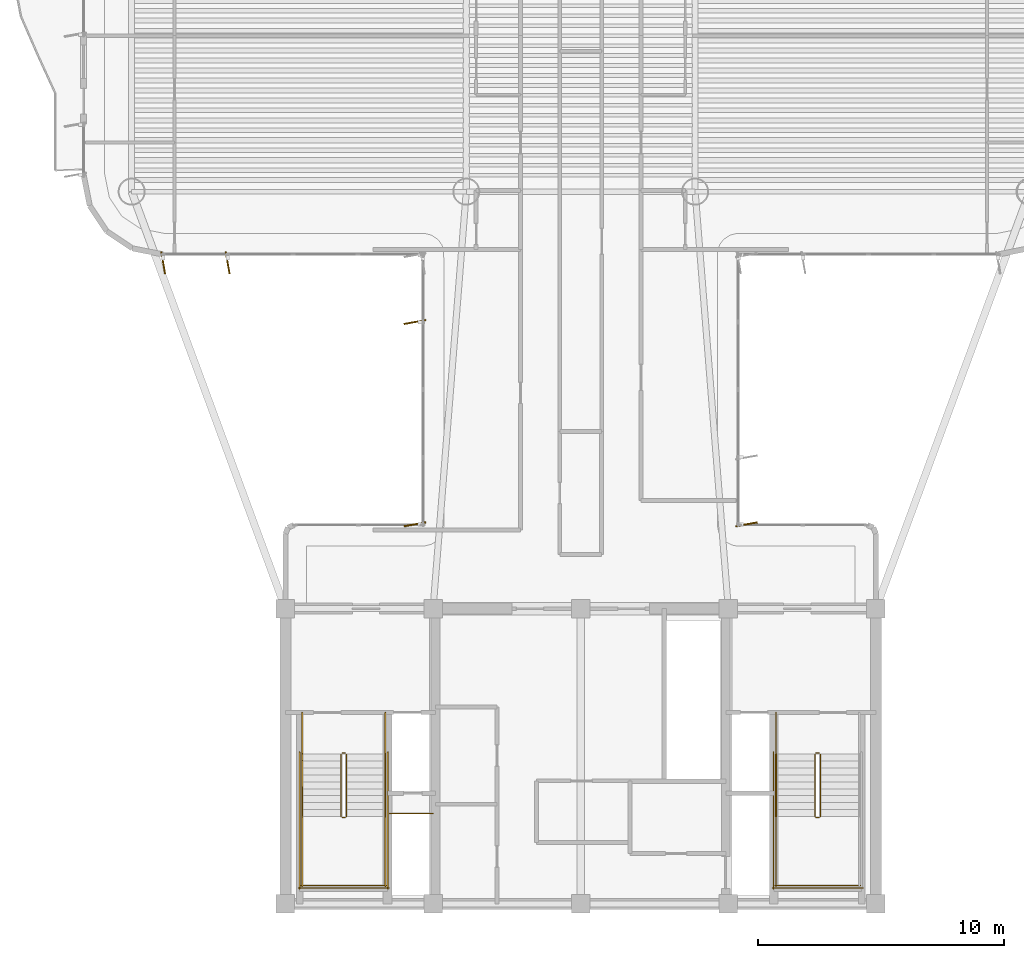
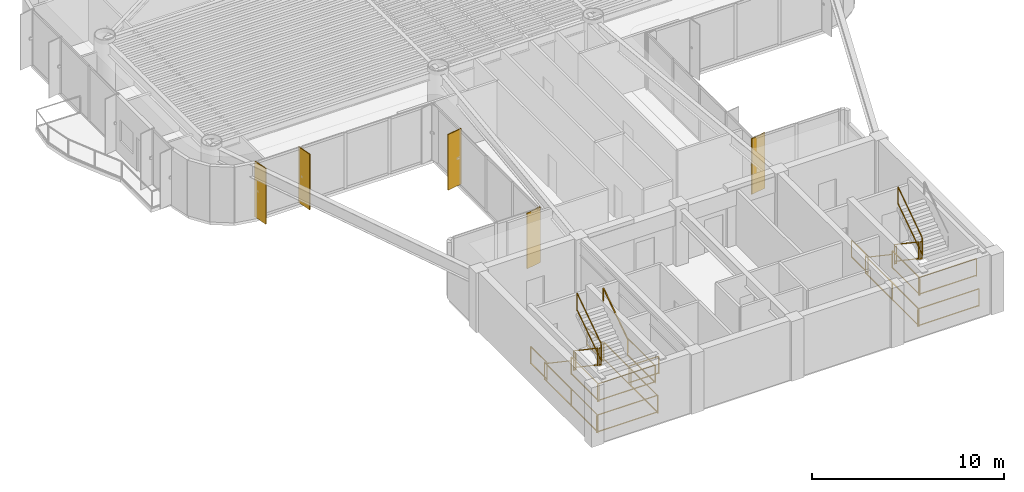
# One storey, part 14 of 15: 25 railings, 5 shading devices.
"""IFC4 building model written with IfcOpenShell, lengths in metres."""

from ifc_helpers import new_model, si_unit, direction, frame, origin, origin_2d, place, context, subcontext, project, spatial, rectangle, extrude, source, transform, mapped, material, layer, layer_set, material_profile, profile_set, type_object, element, save


model = new_model("IFC4")

# Units and contexts
model_context = context("Model", 3, precision=1e-05, world=origin(), true_north=direction((0.0, 1.0)))
body_context = subcontext(model_context, "Body", "Model", "MODEL_VIEW")
ifc_project = project(units=[si_unit("LENGTHUNIT", "METRE"), si_unit("AREAUNIT", "SQUARE_METRE"), si_unit("VOLUMEUNIT", "CUBIC_METRE"), si_unit("PLANEANGLEUNIT", "RADIAN"), si_unit("MASSUNIT", "GRAM", prefix="KILO")], contexts=[model_context])

# Site, building, storey
site_placement = place(None, origin())
site = spatial("IfcSite", under=ifc_project, at=site_placement, CompositionType="ELEMENT")
building_placement = place(site_placement, origin())
building = spatial("IfcBuilding", under=site, at=building_placement, Name="Brelvock Crest Care Tower", CompositionType="ELEMENT")
storey_placement = place(building_placement, frame((0.0, 0.0, 160.199951171875)))
storey = spatial("IfcBuildingStorey", under=building, at=storey_placement, Name="L40", CompositionType="ELEMENT", Elevation=160.199951171875)

# Railings
ifc_material_1 = material(Name="Steel Grade 350", Category="steel")
ifc_layer_1 = layer(ifc_material_1, 0.050048828125, Name="RL-STG1")
ifc_layer_set_1 = layer_set([ifc_layer_1], Name="Steel Grade 350")
railing_type_1 = type_object("IfcRailingType", Name="RL-STG1", PredefinedType="GUARDRAIL", material=ifc_layer_set_1)
railing_1_placement = place(storey_placement, frame((26.260009765625, 12.080078125, 0.18896484375)))
element("IfcRailing", 1, at=railing_1_placement, inside=storey, type_object=railing_type_1, Name="L40 ST-1 stair guard 1", PredefinedType="GUARDRAIL", context=body_context, shape_type="SweptSolid", body=[
    extrude(rectangle(XDim=0.048095703125, YDim=0.048095703125, at=origin_2d()), frame((0.0, -0.001708984375, 1.116943359375), z_axis=(0.0, -0.82882447046, 0.559508710537), x_axis=(1.0, 0.0, 0.0)), (0.0, 0.0, 1.0), 3.036376953125),
    extrude(rectangle(XDim=0.048095703125, YDim=0.048095703125, at=origin_2d()), frame((0.0, -0.001708984375, 0.05615234375), z_axis=(0.0, -0.82882447046, 0.559508710537), x_axis=(1.0, 0.0, 0.0)), (0.0, 0.0, 1.0), 3.036376953125),
    extrude(rectangle(XDim=0.0419921875, YDim=0.0419921875, at=origin_2d()), origin(), (0.0, 0.0, 1.0), 1.08984375),
    extrude(rectangle(XDim=0.0419921875, YDim=0.0419921875, at=origin_2d()), frame((0.0, -2.52001953125, 1.701171875)), (0.0, 0.0, 1.0), 1.08984375),
])
railing_2_placement = place(storey_placement, frame((26.31005859375, 9.510009765625, 1.89013671875)))
element("IfcRailing", 2, at=railing_2_placement, inside=storey, type_object=railing_type_1, Name="L40 ST-1 stair guard 2", PredefinedType="GUARDRAIL", context=body_context, shape_type="SweptSolid", body=[
    extrude(rectangle(XDim=0.048095703125, YDim=0.048095703125, at=origin_2d()), frame((0.001953125, 0.0, 1.11572265625), z_axis=(1.0, 0.0, 0.0), x_axis=(0.0, 1.0, 0.0)), (0.0, 0.0, 1.0), 0.115966796875),
    extrude(rectangle(XDim=0.048095703125, YDim=0.048095703125, at=origin_2d()), frame((0.001953125, 0.0, 0.054931640625), z_axis=(1.0, 0.0, 0.0), x_axis=(0.0, 1.0, 0.0)), (0.0, 0.0, 1.0), 0.115966796875),
    extrude(rectangle(XDim=0.0419921875, YDim=0.0419921875, at=origin_2d()), origin(), (0.0, 0.0, 1.0), 1.08984375),
    extrude(rectangle(XDim=0.0419921875, YDim=0.0419921875, at=origin_2d()), frame((0.119873046875, 0.0, 0.0)), (0.0, 0.0, 1.0), 1.08984375),
])
for number, where, name in (
    (3, (24.679931640625, 9.56005859375, 1.89013671875), "L40 ST-1 stair guard 3"),
    (4, (28.06005859375, 9.56005859375, 1.89013671875), "L40 ST-1 stair guard 4"),
):
    element("IfcRailing", number, at=place(storey_placement, frame(where)), inside=storey, type_object=railing_type_1, Name=name, PredefinedType="GUARDRAIL", context=body_context, shape_type="SweptSolid", body=[
        extrude(rectangle(XDim=0.048095703125, YDim=0.048095703125, at=origin_2d()), frame((0.0, -0.001953125, 1.11572265625), z_axis=(0.0, -1.0, 0.0), x_axis=(1.0, 0.0, 0.0)), (0.0, 0.0, 1.0), 2.856201171875),
        extrude(rectangle(XDim=0.048095703125, YDim=0.048095703125, at=origin_2d()), frame((0.0, -0.001953125, 0.054931640625), z_axis=(0.0, -1.0, 0.0), x_axis=(1.0, 0.0, 0.0)), (0.0, 0.0, 1.0), 2.856201171875),
        extrude(rectangle(XDim=0.0419921875, YDim=0.0419921875, at=origin_2d()), origin(), (0.0, 0.0, 1.0), 1.08984375),
        extrude(rectangle(XDim=0.0419921875, YDim=0.0419921875, at=origin_2d()), frame((0.0, -2.860107421875, 0.0)), (0.0, 0.0, 1.0), 1.08984375),
    ])
railing_3_placement = place(storey_placement, frame((24.6298828125, 6.75, 1.89013671875)))
element("IfcRailing", 5, at=railing_3_placement, inside=storey, type_object=railing_type_1, Name="L40 ST-1 stair guard 5", PredefinedType="GUARDRAIL", context=body_context, shape_type="SweptSolid", body=[
    extrude(rectangle(XDim=0.048095703125, YDim=0.048095703125, at=origin_2d()), frame((0.001953125, 0.0, 1.11572265625), z_axis=(1.0, 0.0, 0.0), x_axis=(0.0, 1.0, 0.0)), (0.0, 0.0, 1.0), 3.476318359375),
    extrude(rectangle(XDim=0.048095703125, YDim=0.048095703125, at=origin_2d()), frame((0.001953125, 0.0, 0.054931640625), z_axis=(1.0, 0.0, 0.0), x_axis=(0.0, 1.0, 0.0)), (0.0, 0.0, 1.0), 3.476318359375),
    extrude(rectangle(XDim=0.0419921875, YDim=0.0419921875, at=origin_2d()), origin(), (0.0, 0.0, 1.0), 1.08984375),
    extrude(rectangle(XDim=0.0419921875, YDim=0.0419921875, at=origin_2d()), frame((3.480224609375, 0.0, 0.0)), (0.0, 0.0, 1.0), 1.08984375),
])
railing_4_placement = place(storey_placement, frame((26.47998046875, 9.56005859375, 2.0791015625)))
element("IfcRailing", 6, at=railing_4_placement, inside=storey, type_object=railing_type_1, Name="L40 ST-1 stair guard 6", PredefinedType="GUARDRAIL", context=body_context, shape_type="SweptSolid", body=[
    extrude(rectangle(XDim=0.048095703125, YDim=0.048095703125, at=origin_2d()), frame((0.0, 0.001708984375, 1.116943359375), z_axis=(0.0, 0.828861706735, 0.559453546873), x_axis=(-1.0, 0.0, 0.0)), (0.0, 0.0, 1.0), 3.036376953125),
    extrude(rectangle(XDim=0.048095703125, YDim=0.048095703125, at=origin_2d()), frame((0.0, 0.001708984375, 0.05615234375), z_axis=(0.0, 0.828861706735, 0.559453546873), x_axis=(-1.0, 0.0, 0.0)), (0.0, 0.0, 1.0), 3.036376953125),
    extrude(rectangle(XDim=0.0419921875, YDim=0.0419921875, at=origin_2d()), origin(), (0.0, 0.0, 1.0), 1.08984375),
    extrude(rectangle(XDim=0.0419921875, YDim=0.0419921875, at=origin_2d()), frame((0.0, 2.52001953125, 1.700927734375)), (0.0, 0.0, 1.0), 1.08984375),
])
railing_5_placement = place(storey_placement, frame((26.31005859375, 12.1298828125, 0.0)))
element("IfcRailing", 7, at=railing_5_placement, inside=storey, type_object=railing_type_1, Name="L40 ST-1 stair guard 7", PredefinedType="GUARDRAIL", context=body_context, shape_type="SweptSolid", body=[
    extrude(rectangle(XDim=0.048095703125, YDim=0.048095703125, at=origin_2d()), frame((0.001953125, 0.0, 1.11572265625), z_axis=(1.0, 0.0, 0.0), x_axis=(0.0, 1.0, 0.0)), (0.0, 0.0, 1.0), 0.115966796875),
    extrude(rectangle(XDim=0.048095703125, YDim=0.048095703125, at=origin_2d()), frame((0.001953125, 0.0, 0.054931640625), z_axis=(1.0, 0.0, 0.0), x_axis=(0.0, 1.0, 0.0)), (0.0, 0.0, 1.0), 0.115966796875),
    extrude(rectangle(XDim=0.0419921875, YDim=0.0419921875, at=origin_2d()), origin(), (0.0, 0.0, 1.0), 1.08984375),
    extrude(rectangle(XDim=0.0419921875, YDim=0.0419921875, at=origin_2d()), frame((0.119873046875, 0.0, 0.0)), (0.0, 0.0, 1.0), 1.08984375),
])
for number, where, name in (
    (8, (24.679931640625, 13.780029296875, 0.0), "L40 ST-1 stair guard 8"),
    (9, (28.06005859375, 13.780029296875, 0.0), "L40 ST-1 stair guard 9"),
):
    element("IfcRailing", number, at=place(storey_placement, frame(where)), inside=storey, type_object=railing_type_1, Name=name, PredefinedType="GUARDRAIL", context=body_context, shape_type="SweptSolid", body=[
        extrude(rectangle(XDim=0.048095703125, YDim=0.048095703125, at=origin_2d()), frame((0.0, -0.001953125, 1.11572265625), z_axis=(0.0, -1.0, 0.0), x_axis=(1.0, 0.0, 0.0)), (0.0, 0.0, 1.0), 1.696044921875),
        extrude(rectangle(XDim=0.048095703125, YDim=0.048095703125, at=origin_2d()), frame((0.0, -0.001953125, 0.054931640625), z_axis=(0.0, -1.0, 0.0), x_axis=(1.0, 0.0, 0.0)), (0.0, 0.0, 1.0), 1.696044921875),
        extrude(rectangle(XDim=0.0419921875, YDim=0.0419921875, at=origin_2d()), origin(), (0.0, 0.0, 1.0), 1.08984375),
        extrude(rectangle(XDim=0.0419921875, YDim=0.0419921875, at=origin_2d()), frame((0.0, -1.699951171875, 0.0)), (0.0, 0.0, 1.0), 1.08984375),
    ])
for number, where, name in (
    (10, (24.580078125, 12.179931640625, 0.0), "L40 ST-1 stair guard 10"),
    (11, (28.159912109375, 12.179931640625, 0.0), "L40 ST-1 stair guard 11"),
):
    element("IfcRailing", number, at=place(storey_placement, frame(where)), inside=storey, type_object=railing_type_1, Name=name, PredefinedType="GUARDRAIL", context=body_context, shape_type="SweptSolid", body=[
        extrude(rectangle(XDim=0.048095703125, YDim=0.048095703125, at=origin_2d()), frame((0.0, -0.001953125, 1.11572265625), z_axis=(0.0, -1.0, 0.0), x_axis=(1.0, 0.0, 0.0)), (0.0, 0.0, 1.0), 5.575927734375),
        extrude(rectangle(XDim=0.048095703125, YDim=0.048095703125, at=origin_2d()), frame((0.0, -0.001953125, 0.054931640625), z_axis=(0.0, -1.0, 0.0), x_axis=(1.0, 0.0, 0.0)), (0.0, 0.0, 1.0), 5.575927734375),
        extrude(rectangle(XDim=0.0419921875, YDim=0.0419921875, at=origin_2d()), origin(), (0.0, 0.0, 1.0), 1.08984375),
        extrude(rectangle(XDim=0.0419921875, YDim=0.0419921875, at=origin_2d()), frame((0.0, -2.7900390625, 0.0)), (0.0, 0.0, 1.0), 1.08984375),
        extrude(rectangle(XDim=0.0419921875, YDim=0.0419921875, at=origin_2d()), frame((0.0, -5.579833984375, 0.0)), (0.0, 0.0, 1.0), 1.08984375),
    ])
railing_6_placement = place(storey_placement, frame((24.530029296875, 6.64990234375, 0.0)))
element("IfcRailing", 12, at=railing_6_placement, inside=storey, type_object=railing_type_1, Name="L40 ST-1 stair guard 12", PredefinedType="GUARDRAIL", context=body_context, shape_type="SweptSolid", body=[
    extrude(rectangle(XDim=0.048095703125, YDim=0.048095703125, at=origin_2d()), frame((0.001953125, 0.0, 1.11572265625), z_axis=(1.0, 0.0, 0.0), x_axis=(0.0, 1.0, 0.0)), (0.0, 0.0, 1.0), 3.676025390625),
    extrude(rectangle(XDim=0.048095703125, YDim=0.048095703125, at=origin_2d()), frame((0.001953125, 0.0, 0.054931640625), z_axis=(1.0, 0.0, 0.0), x_axis=(0.0, 1.0, 0.0)), (0.0, 0.0, 1.0), 3.676025390625),
    extrude(rectangle(XDim=0.0419921875, YDim=0.0419921875, at=origin_2d()), origin(), (0.0, 0.0, 1.0), 1.08984375),
    extrude(rectangle(XDim=0.0419921875, YDim=0.0419921875, at=origin_2d()), frame((3.679931640625, 0.0, 0.0)), (0.0, 0.0, 1.0), 1.08984375),
])
railing_7_placement = place(storey_placement, frame((45.52001953125, 12.080078125, 0.18896484375)))
element("IfcRailing", 13, at=railing_7_placement, inside=storey, type_object=railing_type_1, Name="L40 ST-2 stair guard 1", PredefinedType="GUARDRAIL", context=body_context, shape_type="SweptSolid", body=[
    extrude(rectangle(XDim=0.048095703125, YDim=0.048095703125, at=origin_2d()), frame((0.0, -0.001708984375, 1.116943359375), z_axis=(0.0, -0.82882447046, 0.559508710537), x_axis=(1.0, 0.0, 0.0)), (0.0, 0.0, 1.0), 3.036376953125),
    extrude(rectangle(XDim=0.048095703125, YDim=0.048095703125, at=origin_2d()), frame((0.0, -0.001708984375, 0.05615234375), z_axis=(0.0, -0.82882447046, 0.559508710537), x_axis=(1.0, 0.0, 0.0)), (0.0, 0.0, 1.0), 3.036376953125),
    extrude(rectangle(XDim=0.0419921875, YDim=0.0419921875, at=origin_2d()), origin(), (0.0, 0.0, 1.0), 1.08984375),
    extrude(rectangle(XDim=0.0419921875, YDim=0.0419921875, at=origin_2d()), frame((0.0, -2.52001953125, 1.701171875)), (0.0, 0.0, 1.0), 1.08984375),
])
railing_8_placement = place(storey_placement, frame((45.570068359375, 9.510009765625, 1.89013671875)))
element("IfcRailing", 14, at=railing_8_placement, inside=storey, type_object=railing_type_1, Name="L40 ST-2 stair guard 2", PredefinedType="GUARDRAIL", context=body_context, shape_type="SweptSolid", body=[
    extrude(rectangle(XDim=0.048095703125, YDim=0.048095703125, at=origin_2d()), frame((0.001953125, 0.0, 1.11572265625), z_axis=(1.0, 0.0, 0.0), x_axis=(0.0, 1.0, 0.0)), (0.0, 0.0, 1.0), 0.115966796875),
    extrude(rectangle(XDim=0.048095703125, YDim=0.048095703125, at=origin_2d()), frame((0.001953125, 0.0, 0.054931640625), z_axis=(1.0, 0.0, 0.0), x_axis=(0.0, 1.0, 0.0)), (0.0, 0.0, 1.0), 0.115966796875),
    extrude(rectangle(XDim=0.0419921875, YDim=0.0419921875, at=origin_2d()), origin(), (0.0, 0.0, 1.0), 1.08984375),
    extrude(rectangle(XDim=0.0419921875, YDim=0.0419921875, at=origin_2d()), frame((0.119873046875, 0.0, 0.0)), (0.0, 0.0, 1.0), 1.08984375),
])
railing_9_placement = place(storey_placement, frame((43.93994140625, 9.56005859375, 1.89013671875)))
element("IfcRailing", 15, at=railing_9_placement, inside=storey, type_object=railing_type_1, Name="L40 ST-2 stair guard 3", PredefinedType="GUARDRAIL", context=body_context, shape_type="SweptSolid", body=[
    extrude(rectangle(XDim=0.048095703125, YDim=0.048095703125, at=origin_2d()), frame((0.0, -0.001953125, 1.11572265625), z_axis=(0.0, -1.0, 0.0), x_axis=(1.0, 0.0, 0.0)), (0.0, 0.0, 1.0), 2.856201171875),
    extrude(rectangle(XDim=0.048095703125, YDim=0.048095703125, at=origin_2d()), frame((0.0, -0.001953125, 0.054931640625), z_axis=(0.0, -1.0, 0.0), x_axis=(1.0, 0.0, 0.0)), (0.0, 0.0, 1.0), 2.856201171875),
    extrude(rectangle(XDim=0.0419921875, YDim=0.0419921875, at=origin_2d()), origin(), (0.0, 0.0, 1.0), 1.08984375),
    extrude(rectangle(XDim=0.0419921875, YDim=0.0419921875, at=origin_2d()), frame((0.0, -2.860107421875, 0.0)), (0.0, 0.0, 1.0), 1.08984375),
])
railing_10_placement = place(storey_placement, frame((43.889892578125, 6.75, 1.89013671875)))
element("IfcRailing", 16, at=railing_10_placement, inside=storey, type_object=railing_type_1, Name="L40 ST-2 stair guard 5", PredefinedType="GUARDRAIL", context=body_context, shape_type="SweptSolid", body=[
    extrude(rectangle(XDim=0.048095703125, YDim=0.048095703125, at=origin_2d()), frame((0.001953125, 0.0, 1.11572265625), z_axis=(1.0, 0.0, 0.0), x_axis=(0.0, 1.0, 0.0)), (0.0, 0.0, 1.0), 3.476318359375),
    extrude(rectangle(XDim=0.048095703125, YDim=0.048095703125, at=origin_2d()), frame((0.001953125, 0.0, 0.054931640625), z_axis=(1.0, 0.0, 0.0), x_axis=(0.0, 1.0, 0.0)), (0.0, 0.0, 1.0), 3.476318359375),
    extrude(rectangle(XDim=0.0419921875, YDim=0.0419921875, at=origin_2d()), origin(), (0.0, 0.0, 1.0), 1.08984375),
    extrude(rectangle(XDim=0.0419921875, YDim=0.0419921875, at=origin_2d()), frame((3.480224609375, 0.0, 0.0)), (0.0, 0.0, 1.0), 1.08984375),
])
railing_11_placement = place(storey_placement, frame((45.739990234375, 9.56005859375, 2.0791015625)))
element("IfcRailing", 17, at=railing_11_placement, inside=storey, type_object=railing_type_1, Name="L40 ST-2 stair guard 6", PredefinedType="GUARDRAIL", context=body_context, shape_type="SweptSolid", body=[
    extrude(rectangle(XDim=0.048095703125, YDim=0.048095703125, at=origin_2d()), frame((0.0, 0.001708984375, 1.116943359375), z_axis=(0.0, 0.828861706735, 0.559453546873), x_axis=(-1.0, 0.0, 0.0)), (0.0, 0.0, 1.0), 3.036376953125),
    extrude(rectangle(XDim=0.048095703125, YDim=0.048095703125, at=origin_2d()), frame((0.0, 0.001708984375, 0.05615234375), z_axis=(0.0, 0.828861706735, 0.559453546873), x_axis=(-1.0, 0.0, 0.0)), (0.0, 0.0, 1.0), 3.036376953125),
    extrude(rectangle(XDim=0.0419921875, YDim=0.0419921875, at=origin_2d()), origin(), (0.0, 0.0, 1.0), 1.08984375),
    extrude(rectangle(XDim=0.0419921875, YDim=0.0419921875, at=origin_2d()), frame((0.0, 2.52001953125, 1.700927734375)), (0.0, 0.0, 1.0), 1.08984375),
])
railing_12_placement = place(storey_placement, frame((45.570068359375, 12.1298828125, 0.0)))
element("IfcRailing", 18, at=railing_12_placement, inside=storey, type_object=railing_type_1, Name="L40 ST-2 stair guard 7", PredefinedType="GUARDRAIL", context=body_context, shape_type="SweptSolid", body=[
    extrude(rectangle(XDim=0.048095703125, YDim=0.048095703125, at=origin_2d()), frame((0.001953125, 0.0, 1.11572265625), z_axis=(1.0, 0.0, 0.0), x_axis=(0.0, 1.0, 0.0)), (0.0, 0.0, 1.0), 0.115966796875),
    extrude(rectangle(XDim=0.048095703125, YDim=0.048095703125, at=origin_2d()), frame((0.001953125, 0.0, 0.054931640625), z_axis=(1.0, 0.0, 0.0), x_axis=(0.0, 1.0, 0.0)), (0.0, 0.0, 1.0), 0.115966796875),
    extrude(rectangle(XDim=0.0419921875, YDim=0.0419921875, at=origin_2d()), origin(), (0.0, 0.0, 1.0), 1.08984375),
    extrude(rectangle(XDim=0.0419921875, YDim=0.0419921875, at=origin_2d()), frame((0.119873046875, 0.0, 0.0)), (0.0, 0.0, 1.0), 1.08984375),
])
railing_13_placement = place(storey_placement, frame((43.93994140625, 13.780029296875, 0.0)))
element("IfcRailing", 19, at=railing_13_placement, inside=storey, type_object=railing_type_1, Name="L40 ST-2 stair guard 8", PredefinedType="GUARDRAIL", context=body_context, shape_type="SweptSolid", body=[
    extrude(rectangle(XDim=0.048095703125, YDim=0.048095703125, at=origin_2d()), frame((0.0, -0.001953125, 1.11572265625), z_axis=(0.0, -1.0, 0.0), x_axis=(1.0, 0.0, 0.0)), (0.0, 0.0, 1.0), 1.696044921875),
    extrude(rectangle(XDim=0.048095703125, YDim=0.048095703125, at=origin_2d()), frame((0.0, -0.001953125, 0.054931640625), z_axis=(0.0, -1.0, 0.0), x_axis=(1.0, 0.0, 0.0)), (0.0, 0.0, 1.0), 1.696044921875),
    extrude(rectangle(XDim=0.0419921875, YDim=0.0419921875, at=origin_2d()), origin(), (0.0, 0.0, 1.0), 1.08984375),
    extrude(rectangle(XDim=0.0419921875, YDim=0.0419921875, at=origin_2d()), frame((0.0, -1.699951171875, 0.0)), (0.0, 0.0, 1.0), 1.08984375),
])
railing_14_placement = place(storey_placement, frame((43.840087890625, 12.179931640625, 0.0)))
element("IfcRailing", 20, at=railing_14_placement, inside=storey, type_object=railing_type_1, Name="L40 ST-2 stair guard 10", PredefinedType="GUARDRAIL", context=body_context, shape_type="SweptSolid", body=[
    extrude(rectangle(XDim=0.048095703125, YDim=0.048095703125, at=origin_2d()), frame((0.0, -0.001953125, 1.11572265625), z_axis=(0.0, -1.0, 0.0), x_axis=(1.0, 0.0, 0.0)), (0.0, 0.0, 1.0), 5.575927734375),
    extrude(rectangle(XDim=0.048095703125, YDim=0.048095703125, at=origin_2d()), frame((0.0, -0.001953125, 0.054931640625), z_axis=(0.0, -1.0, 0.0), x_axis=(1.0, 0.0, 0.0)), (0.0, 0.0, 1.0), 5.575927734375),
    extrude(rectangle(XDim=0.0419921875, YDim=0.0419921875, at=origin_2d()), origin(), (0.0, 0.0, 1.0), 1.08984375),
    extrude(rectangle(XDim=0.0419921875, YDim=0.0419921875, at=origin_2d()), frame((0.0, -2.7900390625, 0.0)), (0.0, 0.0, 1.0), 1.08984375),
    extrude(rectangle(XDim=0.0419921875, YDim=0.0419921875, at=origin_2d()), frame((0.0, -5.579833984375, 0.0)), (0.0, 0.0, 1.0), 1.08984375),
])
railing_15_placement = place(storey_placement, frame((43.7900390625, 6.64990234375, 0.0)))
element("IfcRailing", 21, at=railing_15_placement, inside=storey, type_object=railing_type_1, Name="L40 ST-2 stair guard 12", PredefinedType="GUARDRAIL", context=body_context, shape_type="SweptSolid", body=[
    extrude(rectangle(XDim=0.048095703125, YDim=0.048095703125, at=origin_2d()), frame((0.001953125, 0.0, 1.11572265625), z_axis=(1.0, 0.0, 0.0), x_axis=(0.0, 1.0, 0.0)), (0.0, 0.0, 1.0), 3.676025390625),
    extrude(rectangle(XDim=0.048095703125, YDim=0.048095703125, at=origin_2d()), frame((0.001953125, 0.0, 0.054931640625), z_axis=(1.0, 0.0, 0.0), x_axis=(0.0, 1.0, 0.0)), (0.0, 0.0, 1.0), 3.676025390625),
    extrude(rectangle(XDim=0.0419921875, YDim=0.0419921875, at=origin_2d()), origin(), (0.0, 0.0, 1.0), 1.08984375),
    extrude(rectangle(XDim=0.0419921875, YDim=0.0419921875, at=origin_2d()), frame((3.679931640625, 0.0, 0.0)), (0.0, 0.0, 1.0), 1.08984375),
])
railing_16_placement = place(storey_placement, frame((28.219970703125, 9.679931640625, 0.0)))
element("IfcRailing", 22, at=railing_16_placement, inside=storey, type_object=railing_type_1, Name="L40 Fire Riser Threshold Guard", PredefinedType="GUARDRAIL", context=body_context, shape_type="SweptSolid", body=[
    extrude(rectangle(XDim=0.048095703125, YDim=0.048095703125, at=origin_2d()), frame((0.001953125, 0.0, 1.11572265625), z_axis=(1.0, 0.0, 0.0), x_axis=(0.0, 1.0, 0.0)), (0.0, 0.0, 1.0), 1.776123046875),
    extrude(rectangle(XDim=0.048095703125, YDim=0.048095703125, at=origin_2d()), frame((0.001953125, 0.0, 0.054931640625), z_axis=(1.0, 0.0, 0.0), x_axis=(0.0, 1.0, 0.0)), (0.0, 0.0, 1.0), 1.776123046875),
    extrude(rectangle(XDim=0.0419921875, YDim=0.0419921875, at=origin_2d()), origin(), (0.0, 0.0, 1.0), 1.08984375),
    extrude(rectangle(XDim=0.0419921875, YDim=0.0419921875, at=origin_2d()), frame((1.780029296875, 0.0, 0.0)), (0.0, 0.0, 1.0), 1.08984375),
])
ifc_layer_2 = layer(ifc_material_1, 0.048095703125, Name="RL-STH1")
ifc_layer_set_2 = layer_set([ifc_layer_2], Name="Steel Grade 350")
railing_type_2 = type_object("IfcRailingType", Name="RL-STH1", PredefinedType="HANDRAIL", material=ifc_layer_set_2)
railing_17_placement = place(storey_placement, frame((24.679931640625, 12.080078125, 0.18896484375)))
element("IfcRailing", 23, at=railing_17_placement, inside=storey, type_object=railing_type_2, Name="L40 ST-1 stair handrail 1", PredefinedType="HANDRAIL", context=body_context, shape_type="SweptSolid", body=[
    extrude(rectangle(XDim=0.048095703125, YDim=0.048095703125, at=origin_2d()), frame((0.0, -0.001708984375, 0.876953125), z_axis=(0.0, -0.82882447046, 0.559508710537), x_axis=(1.0, 0.0, 0.0)), (0.0, 0.0, 1.0), 3.036376953125),
    extrude(rectangle(XDim=0.0419921875, YDim=0.0419921875, at=origin_2d()), origin(), (0.0, 0.0, 1.0), 0.849853515625),
    extrude(rectangle(XDim=0.0419921875, YDim=0.0419921875, at=origin_2d()), frame((0.0, -2.52001953125, 1.701171875)), (0.0, 0.0, 1.0), 0.849853515625),
])
railing_18_placement = place(storey_placement, frame((28.06005859375, 9.56005859375, 2.0791015625)))
element("IfcRailing", 24, at=railing_18_placement, inside=storey, type_object=railing_type_2, Name="L40 ST-1 stair handrail 2", PredefinedType="HANDRAIL", context=body_context, shape_type="SweptSolid", body=[
    extrude(rectangle(XDim=0.048095703125, YDim=0.048095703125, at=origin_2d()), frame((0.0, 0.001708984375, 0.876953125), z_axis=(0.0, 0.828861706735, 0.559453546873), x_axis=(-1.0, 0.0, 0.0)), (0.0, 0.0, 1.0), 3.036376953125),
    extrude(rectangle(XDim=0.0419921875, YDim=0.0419921875, at=origin_2d()), origin(), (0.0, 0.0, 1.0), 0.849853515625),
    extrude(rectangle(XDim=0.0419921875, YDim=0.0419921875, at=origin_2d()), frame((0.0, 2.52001953125, 1.700927734375)), (0.0, 0.0, 1.0), 0.849853515625),
])
railing_19_placement = place(storey_placement, frame((43.93994140625, 12.080078125, 0.18896484375)))
element("IfcRailing", 25, at=railing_19_placement, inside=storey, type_object=railing_type_2, Name="L40 ST-2 stair handrail 1", PredefinedType="HANDRAIL", context=body_context, shape_type="SweptSolid", body=[
    extrude(rectangle(XDim=0.048095703125, YDim=0.048095703125, at=origin_2d()), frame((0.0, -0.001708984375, 0.876953125), z_axis=(0.0, -0.82882447046, 0.559508710537), x_axis=(1.0, 0.0, 0.0)), (0.0, 0.0, 1.0), 3.036376953125),
    extrude(rectangle(XDim=0.0419921875, YDim=0.0419921875, at=origin_2d()), origin(), (0.0, 0.0, 1.0), 0.849853515625),
    extrude(rectangle(XDim=0.0419921875, YDim=0.0419921875, at=origin_2d()), frame((0.0, -2.52001953125, 1.701171875)), (0.0, 0.0, 1.0), 0.849853515625),
])

# Shading devices
ifc_material_2 = material(Name="Aluminium 6063-T6", Category="aluminium")
ifc_material_profile = material_profile(ifc_material_2, rectangle(XDim=0.054931640625, YDim=0.89990234375, at=origin_2d()), Name="FIN55x900")
ifc_profile_set = profile_set([ifc_material_profile], Name="Aluminium 6063-T6")
shading_device_type = type_object("IfcShadingDeviceType", Name="SHD-FIN1", PredefinedType="USERDEFINED", material=ifc_profile_set)
shared_shape = source(origin(), body_context, "Body", "SweptSolid", [
    extrude(rectangle(XDim=0.054931640625, YDim=0.89990234375, at=origin_2d()), origin(), (0.0, 0.0, 1.0), 3.530029296875),
])
for number, where, z_axis, x_axis, name in (
    (26, (29.260009765625, 21.429931640625, 0.0), (0.0, 0.0, 1.0), (-0.173648177667, 0.984807753012, 0.0), "L40 Vertical Sunshade Fin E11-01"),
    (27, (29.260009765625, 29.64990234375, 0.0), (0.0, 0.0, 1.0), (-0.173648177667, 0.984807753012, 0.0), "L40 Vertical Sunshade Fin E11-04"),
    (28, (21.64990234375, 32.06005859375, 0.0), (0.0, 0.0, 1.0), (-0.984807753012, -0.173648177667, 0.0), "L40 Vertical Sunshade Fin E12-04"),
    (29, (19.030029296875, 32.06005859375, 0.0), (0.0, 0.0, 1.0), (-0.984807753012, -0.173648177667, 0.0), "L40 Vertical Sunshade Fin E12-05"),
    (30, (42.739990234375, 21.429931640625, 0.0), (0.0, 0.0, 1.0), (0.173648177667, -0.984807753012, 0.0), "L40 Vertical Sunshade Fin E45-05"),
):
    element("IfcShadingDevice", number, at=place(storey_placement, frame(where, z_axis=z_axis, x_axis=x_axis)), inside=storey, type_object=shading_device_type, Name=name, ObjectType="FIN", PredefinedType="USERDEFINED", context=body_context, shape_type="MappedRepresentation", body=[
        mapped(shared_shape, transform((0.0, 0.0, 0.0), x_axis=(1.0, 0.0, 0.0), y_axis=(0.0, 1.0, 0.0), z_axis=(0.0, 0.0, 1.0), scale=1.0)),
    ])

save(model, "model.ifc")
